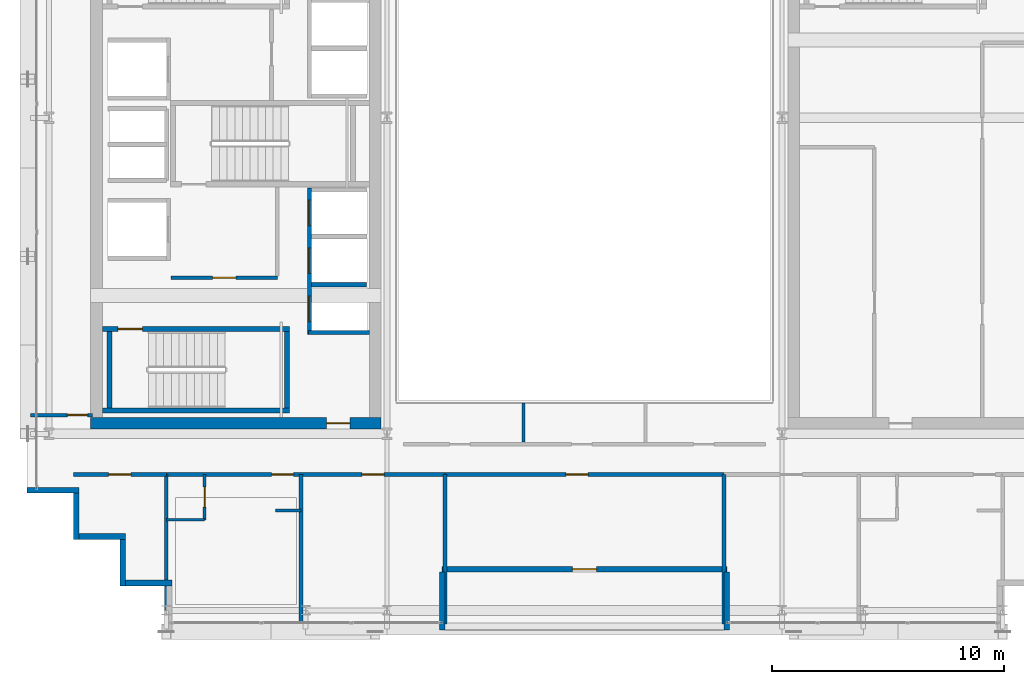
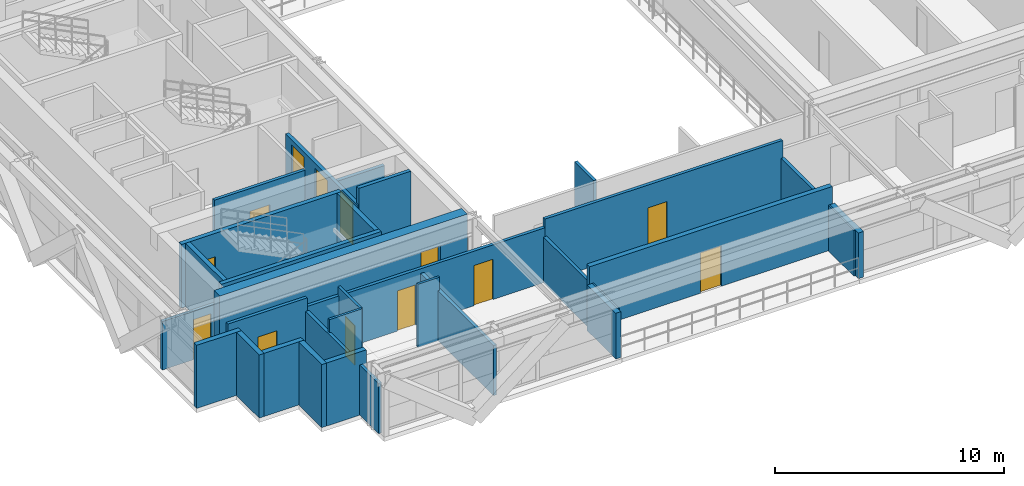
# One storey, part 24 of 32: 29 walls, 13 doors, 13 openings.
"""IFC4 building model written with IfcOpenShell, lengths in metres."""

from ifc_helpers import new_model, si_unit, direction, frame, frame_2d, origin, place, context, subcontext, project, spatial, rectangle, extrude, source, transform, mapped, material, layer, layer_set, type_object, element, fill, save


model = new_model("IFC4")

# Units and contexts
model_context = context("Model", 3, precision=1e-05, world=origin(), true_north=direction((0.0, 1.0)))
body_context = subcontext(model_context, "Body", "Model", "MODEL_VIEW")
ifc_project = project(units=[si_unit("LENGTHUNIT", "METRE"), si_unit("AREAUNIT", "SQUARE_METRE"), si_unit("VOLUMEUNIT", "CUBIC_METRE"), si_unit("PLANEANGLEUNIT", "RADIAN"), si_unit("MASSUNIT", "GRAM", prefix="KILO")], contexts=[model_context])

# Site, building, storey
site_placement = place(None, origin())
site = spatial("IfcSite", under=ifc_project, at=site_placement, CompositionType="ELEMENT")
building_placement = place(site_placement, origin())
building = spatial("IfcBuilding", under=site, at=building_placement, Name="Ocotamira Hotel", CompositionType="ELEMENT")
storey_placement = place(building_placement, frame((0.0, 0.0, 184.800048828125)))
storey = spatial("IfcBuildingStorey", under=building, at=storey_placement, Name="L46", CompositionType="ELEMENT", Elevation=184.800048828125)

# Wall, opening, door
ifc_material_1 = material(Name="Concrete C50/60", Category="concrete")
ifc_layer_1 = layer(ifc_material_1, 0.5)
ifc_layer_set_1 = layer_set([ifc_layer_1], Name="Concrete C50/60")
wall_type_1 = type_object("IfcWallType", Name="WL-CORE-500", PredefinedType="SHEAR", material=ifc_layer_set_1)
wall_1_placement = place(storey_placement, frame((10.75, 15.0, 0.0), z_axis=(0.0, 0.0, 1.0), x_axis=(1.0, 0.0, 0.0)))
wall_1 = element("IfcWall", 1, at=wall_1_placement, inside=storey, type_object=wall_type_1, Name="L46 Shear Core Wall WCORE-S", PredefinedType="SHEAR", context=body_context, shape_type="SweptSolid", body=[
    extrude(rectangle(XDim=12.5, YDim=0.5, at=frame_2d((6.25, 0.0))), origin(), (0.0, 0.0, 1.0), 3.369873046875),
])
opening_1_placement = place(wall_1_placement, frame((10.14990234375, 0.0, 0.0)))
opening_1 = element("IfcOpeningElement", 2, at=opening_1_placement, cuts=wall_1, Name="Opening D-FR2", PredefinedType="OPENING", context=body_context, shape_type="SweptSolid", body=[
    extrude(rectangle(XDim=1.0, YDim=2.14990234375, at=frame_2d((0.5, 1.074951171875))), frame((0.0, 0.260009765625, 0.0), z_axis=(0.0, -1.0, 0.0), x_axis=(1.0, 0.0, 0.0)), (0.0, 0.0, 1.0), 0.52001953125),
])
ifc_material_2 = material(Name="Fire-rated acoustic timber-veneer door", Category="wood")
door_type_1 = type_object("IfcDoorType", Name="DR-FIRE-1000", OperationType="NOTDEFINED", PredefinedType="DOOR", material=ifc_material_2)
shared_shape_1 = source(origin(), body_context, "Body", "SweptSolid", [
    extrude(rectangle(XDim=1.0, YDim=2.14990234375, at=frame_2d((0.5, 1.074951171875))), frame((0.0, 0.02490234375, 0.0), z_axis=(0.0, -1.0, 0.0), x_axis=(1.0, 0.0, 0.0)), (0.0, 0.0, 1.0), 0.050048828125),
])
door_1_placement = place(opening_1_placement, origin())
door_1 = element("IfcDoor", 3, at=door_1_placement, inside=storey, type_object=door_type_1, Name="L46 Door ID-L46-WLOB-S-D [ID-L46-WLOB-S-D]", OperationType="SINGLE_SWING_LEFT", OverallHeight=2.14990234375, OverallWidth=1.0, PredefinedType="DOOR", context=body_context, shape_type="MappedRepresentation", body=[
    mapped(shared_shape_1, transform((0.0, 0.0, 0.0), scale=1.0)),
])
fill(opening_1, door_1)

# Walls
ifc_material_3 = material(Name="Precast concrete C45/55", Category="concrete")
ifc_layer_2 = layer(ifc_material_3, 0.25)
ifc_layer_set_2 = layer_set([ifc_layer_2], Name="Precast concrete C45/55")
wall_type_2 = type_object("IfcWallType", Name="WL-EXT-SER-250", PredefinedType="SOLIDWALL", material=ifc_layer_set_2)
wall_2_placement = place(storey_placement, frame((8.0, 12.125, 0.0), z_axis=(0.0, 0.0, 1.0), x_axis=(1.0, 0.0, 0.0)))
element("IfcWall", 4, at=wall_2_placement, inside=storey, type_object=wall_type_2, Name="L46 Serrated Corner Wall 19", PredefinedType="SOLIDWALL", context=body_context, shape_type="SweptSolid", body=[
    extrude(rectangle(XDim=2.25, YDim=0.25, at=frame_2d((1.125, 0.0))), origin(), (0.0, 0.0, 1.0), 3.369873046875),
])
for number, where, z_axis, x_axis, name in (
    (5, (10.125, 12.0, 0.0), (0.0, 0.0, 1.0), (0.0, -1.0, 0.0), "L46 Serrated Corner Wall 20"),
    (6, (10.25, 10.125, 0.0), (0.0, 0.0, 1.0), (1.0, 0.0, 0.0), "L46 Serrated Corner Wall 21"),
    (7, (12.125, 10.0, 0.0), (0.0, 0.0, 1.0), (0.0, -1.0, 0.0), "L46 Serrated Corner Wall 22"),
    (8, (12.25, 8.125, 0.0), (0.0, 0.0, 1.0), (1.0, 0.0, 0.0), "L46 Serrated Corner Wall 23"),
):
    element("IfcWall", number, at=place(storey_placement, frame(where, z_axis=z_axis, x_axis=x_axis)), inside=storey, type_object=wall_type_2, Name=name, PredefinedType="SOLIDWALL", context=body_context, shape_type="SweptSolid", body=[
        extrude(rectangle(XDim=2.0, YDim=0.25, at=frame_2d((1.0, 0.0))), origin(), (0.0, 0.0, 1.0), 3.369873046875),
    ])

# Wall, opening, door
wall_3_placement = place(storey_placement, frame((25.875, 8.72509765625, 0.0), z_axis=(0.0, 0.0, 1.0), x_axis=(1.0, 0.0, 0.0)))
wall_3 = element("IfcWall", 9, at=wall_3_placement, inside=storey, type_object=wall_type_2, Name="L46 Sky Terrace Back Wall 1", PredefinedType="SOLIDWALL", context=body_context, shape_type="SweptSolid", body=[
    extrude(rectangle(XDim=12.25, YDim=0.25, at=frame_2d((6.125, 0.0))), origin(), (0.0, 0.0, 1.0), 3.369873046875),
])
opening_2_placement = place(wall_3_placement, frame((5.60009765625, 0.0, 0.0)))
opening_2 = element("IfcOpeningElement", 10, at=opening_2_placement, cuts=wall_3, Name="Opening ED-3", PredefinedType="OPENING", context=body_context, shape_type="SweptSolid", body=[
    extrude(rectangle(XDim=1.050048828125, YDim=2.14990234375, at=frame_2d((0.52490234375, 1.074951171875))), frame((0.0, 0.135009765625, 0.0), z_axis=(0.0, -1.0, 0.0), x_axis=(1.0, 0.0, 0.0)), (0.0, 0.0, 1.0), 0.27001953125),
])
ifc_material_4 = material(Name="Thermally broken aluminium glazed door", Category="aluminium")
door_type_2 = type_object("IfcDoorType", Name="DR-TERR-1050", OperationType="NOTDEFINED", PredefinedType="DOOR", material=ifc_material_4)
shared_shape_2 = source(origin(), body_context, "Body", "SweptSolid", [
    extrude(rectangle(XDim=1.050048828125, YDim=2.14990234375, at=frame_2d((0.52490234375, 1.074951171875))), frame((0.0, 0.02490234375, 0.0), z_axis=(0.0, -1.0, 0.0), x_axis=(1.0, 0.0, 0.0)), (0.0, 0.0, 1.0), 0.050048828125),
])
door_2_placement = place(opening_2_placement, origin())
door_2 = element("IfcDoor", 11, at=door_2_placement, inside=storey, type_object=door_type_2, Name="L46 Sky Terrace Access Door 1 [ED-BAL-L46-1]", OperationType="SINGLE_SWING_RIGHT", OverallHeight=2.14990234375, OverallWidth=1.050048828125, PredefinedType="DOOR", context=body_context, shape_type="MappedRepresentation", body=[
    mapped(shared_shape_2, transform((0.0, 0.0, 0.0), scale=1.0)),
])
fill(opening_2, door_2)

# Walls
for number, where, z_axis, x_axis, name in (
    (12, (25.875, 6.10009765625, 0.0), (0.0, 0.0, 1.0), (0.0, 1.0, 0.0), "L46 Sky Terrace Return Wall 1L"),
    (13, (38.125, 6.10009765625, 0.0), (0.0, 0.0, 1.0), (0.0, 1.0, 0.0), "L46 Sky Terrace Return Wall 1R"),
):
    element("IfcWall", number, at=place(storey_placement, frame(where, z_axis=z_axis, x_axis=x_axis)), inside=storey, type_object=wall_type_2, Name=name, PredefinedType="SOLIDWALL", context=body_context, shape_type="SweptSolid", body=[
        extrude(rectangle(XDim=2.5, YDim=0.25, at=frame_2d((1.25, 0.0))), origin(), (0.0, 0.0, 1.0), 2.44287109375),
    ])

# Wall, opening, door
ifc_material_5 = material(Name="Acoustic double-layer fire gypsum board partition", Category="gypsum")
ifc_layer_3 = layer(ifc_material_5, 0.159912109375)
ifc_layer_set_3 = layer_set([ifc_layer_3], Name="Acoustic double-layer fire gypsum board partition")
wall_type_3 = type_object("IfcWallType", Name="WL-FIRE-160", PredefinedType="PARTITIONING", material=ifc_layer_set_3)
wall_4_placement = place(storey_placement, frame((14.199951171875, 21.27001953125, 0.0), z_axis=(0.0, 0.0, 1.0), x_axis=(1.0, 0.0, 0.0)))
wall_4 = element("IfcWall", 14, at=wall_4_placement, inside=storey, type_object=wall_type_3, Name="L46 Interior Wall PW-L46-FSAE1-S", PredefinedType="PARTITIONING", context=body_context, shape_type="SweptSolid", body=[
    extrude(rectangle(XDim=4.580078125, YDim=0.159912109375, at=frame_2d((2.2900390625, 0.0))), origin(), (0.0, 0.0, 1.0), 3.369873046875),
])
opening_3_placement = place(wall_4_placement, frame((1.800048828125, 0.0, 0.0)))
opening_3 = element("IfcOpeningElement", 15, at=opening_3_placement, cuts=wall_4, Name="Opening D-FR2", PredefinedType="OPENING", context=body_context, shape_type="SweptSolid", body=[
    extrude(rectangle(XDim=1.0, YDim=2.14990234375, at=frame_2d((0.5, 1.074951171875))), frame((0.0, 0.08984375, 0.0), z_axis=(0.0, -1.0, 0.0), x_axis=(1.0, 0.0, 0.0)), (0.0, 0.0, 1.0), 0.179931640625),
])
door_3_placement = place(opening_3_placement, origin())
door_3 = element("IfcDoor", 16, at=door_3_placement, inside=storey, type_object=door_type_1, Name="L46 Door ID-L46-FSAE1-D [ID-L46-FSAE1-D]", OperationType="SINGLE_SWING_LEFT", OverallHeight=2.14990234375, OverallWidth=1.0, PredefinedType="DOOR", context=body_context, shape_type="MappedRepresentation", body=[
    mapped(shared_shape_1, transform((0.0, 0.0, 0.0), scale=1.0)),
])
fill(opening_3, door_3)

wall_5_placement = place(storey_placement, frame((10.0, 12.800048828125, 0.0), z_axis=(0.0, 0.0, 1.0), x_axis=(1.0, 0.0, 0.0)))
wall_5 = element("IfcWall", 17, at=wall_5_placement, inside=storey, type_object=wall_type_3, Name="L46 Interior Wall PW-L46-Z3C-CSW-CW", PredefinedType="PARTITIONING", context=body_context, shape_type="SweptSolid", body=[
    extrude(rectangle(XDim=4.0, YDim=0.159912109375, at=frame_2d((2.0, 0.0))), origin(), (0.0, 0.0, 1.0), 3.369873046875),
])
opening_4_placement = place(wall_5_placement, frame((1.52001953125, 0.0, 0.0)))
opening_4 = element("IfcOpeningElement", 18, at=opening_4_placement, cuts=wall_5, Name="Opening D-SV4", PredefinedType="OPENING", context=body_context, shape_type="SweptSolid", body=[
    extrude(rectangle(XDim=0.9599609375, YDim=2.14990234375, at=frame_2d((0.47998046875, 1.074951171875))), frame((0.0, 0.08984375, 0.0), z_axis=(0.0, -1.0, 0.0), x_axis=(1.0, 0.0, 0.0)), (0.0, 0.0, 1.0), 0.179931640625),
])
ifc_material_6 = material(Name="Fire-rated accessible walnut salon door", Category="wood")
door_type_3 = type_object("IfcDoorType", Name="DR-SERV-960", OperationType="NOTDEFINED", PredefinedType="DOOR", material=ifc_material_6)
shared_shape_3 = source(origin(), body_context, "Body", "SweptSolid", [
    extrude(rectangle(XDim=0.9599609375, YDim=2.14990234375, at=frame_2d((0.47998046875, 1.074951171875))), frame((0.0, 0.02490234375, 0.0), z_axis=(0.0, -1.0, 0.0), x_axis=(1.0, 0.0, 0.0)), (0.0, 0.0, 1.0), 0.050048828125),
])
door_4_placement = place(opening_4_placement, origin())
door_4 = element("IfcDoor", 19, at=door_4_placement, inside=storey, type_object=door_type_3, Name="L46 Door ID-L46-Z3C-CSW-CD [ID-L46-Z3C-CSW-CD]", OperationType="SINGLE_SWING_LEFT", OverallHeight=2.14990234375, OverallWidth=0.9599609375, PredefinedType="DOOR", context=body_context, shape_type="MappedRepresentation", body=[
    mapped(shared_shape_3, transform((0.0, 0.0, 0.0), scale=1.0)),
])
fill(opening_4, door_4)

# Wall, openings, doors
wall_6_placement = place(storey_placement, frame((14.0, 12.800048828125, 0.0), z_axis=(0.0, 0.0, 1.0), x_axis=(1.0, 0.0, 0.0)))
wall_6 = element("IfcWall", 20, at=wall_6_placement, inside=storey, type_object=wall_type_3, Name="L46 Interior Wall PW-L46-Z3CSW-CORRW", PredefinedType="PARTITIONING", context=body_context, shape_type="SweptSolid", body=[
    extrude(rectangle(XDim=12.0, YDim=0.159912109375, at=frame_2d((6.0, 0.0))), origin(), (0.0, 0.0, 1.0), 2.912841796875),
])
opening_5_placement = place(wall_6_placement, frame((4.5400390625, 0.0, 0.0)))
opening_5 = element("IfcOpeningElement", 21, at=opening_5_placement, cuts=wall_6, Name="Opening D-GR1", PredefinedType="OPENING", context=body_context, shape_type="SweptSolid", body=[
    extrude(rectangle(XDim=0.93994140625, YDim=2.14990234375, at=frame_2d((0.469970703125, 1.074951171875))), frame((0.0, 0.08984375, 0.0), z_axis=(0.0, -1.0, 0.0), x_axis=(1.0, 0.0, 0.0)), (0.0, 0.0, 1.0), 0.179931640625),
])
opening_6_placement = place(wall_6_placement, frame((8.419921875, 0.0, 0.0)))
opening_6 = element("IfcOpeningElement", 22, at=opening_6_placement, cuts=wall_6, Name="Opening D-SV4", PredefinedType="OPENING", context=body_context, shape_type="SweptSolid", body=[
    extrude(rectangle(XDim=0.9599609375, YDim=2.14990234375, at=frame_2d((0.47998046875, 1.074951171875))), frame((0.0, 0.08984375, 0.0), z_axis=(0.0, -1.0, 0.0), x_axis=(1.0, 0.0, 0.0)), (0.0, 0.0, 1.0), 0.179931640625),
])
door_5_placement = place(opening_6_placement, origin())
door_5 = element("IfcDoor", 23, at=door_5_placement, inside=storey, type_object=door_type_3, Name="L46 Door ID-L46-Z3CSW-AMD2 [ID-L46-Z3CSW-AMD2]", OperationType="SINGLE_SWING_RIGHT", OverallHeight=2.14990234375, OverallWidth=0.9599609375, PredefinedType="DOOR", context=body_context, shape_type="MappedRepresentation", body=[
    mapped(shared_shape_3, transform((0.0, 0.0, 0.0), scale=1.0)),
])
fill(opening_6, door_5)
ifc_material_7 = material(Name="Solid-core walnut suite entrance fire door", Category="wood")
door_type_4 = type_object("IfcDoorType", Name="DR-GUEST-940", OperationType="NOTDEFINED", PredefinedType="DOOR", material=ifc_material_7)
shared_shape_4 = source(origin(), body_context, "Body", "SweptSolid", [
    extrude(rectangle(XDim=0.93994140625, YDim=2.14990234375, at=frame_2d((0.469970703125, 1.074951171875))), frame((0.0, 0.02490234375, 0.0), z_axis=(0.0, -1.0, 0.0), x_axis=(1.0, 0.0, 0.0)), (0.0, 0.0, 1.0), 0.050048828125),
])
door_6_placement = place(opening_5_placement, origin())
door_6 = element("IfcDoor", 24, at=door_6_placement, inside=storey, type_object=door_type_4, Name="L46 Door ID-L46-Z3CSW-RMD1 [ID-L46-Z3CSW-RMD1]", OperationType="SINGLE_SWING_LEFT", OverallHeight=2.14990234375, OverallWidth=0.93994140625, PredefinedType="DOOR", context=body_context, shape_type="MappedRepresentation", body=[
    mapped(shared_shape_4, transform((0.0, 0.0, 0.0), scale=1.0)),
])
fill(opening_5, door_6)

# Wall, opening, door
wall_7_placement = place(storey_placement, frame((26.0, 12.800048828125, 0.0), z_axis=(0.0, 0.0, 1.0), x_axis=(1.0, 0.0, 0.0)))
wall_7 = element("IfcWall", 25, at=wall_7_placement, inside=storey, type_object=wall_type_3, Name="L46 Interior Wall PW-L46-Z3C-TSALN", PredefinedType="PARTITIONING", context=body_context, shape_type="SweptSolid", body=[
    extrude(rectangle(XDim=12.0, YDim=0.159912109375, at=frame_2d((6.0, 0.0))), origin(), (0.0, 0.0, 1.0), 3.369873046875),
])
opening_7_placement = place(wall_7_placement, frame((5.199951171875, 0.0, 0.0)))
opening_7 = element("IfcOpeningElement", 26, at=opening_7_placement, cuts=wall_7, Name="Opening D-SV4", PredefinedType="OPENING", context=body_context, shape_type="SweptSolid", body=[
    extrude(rectangle(XDim=0.9599609375, YDim=2.14990234375, at=frame_2d((0.47998046875, 1.074951171875))), frame((0.0, 0.08984375, 0.0), z_axis=(0.0, -1.0, 0.0), x_axis=(1.0, 0.0, 0.0)), (0.0, 0.0, 1.0), 0.179931640625),
])
door_7_placement = place(opening_7_placement, origin())
door_7 = element("IfcDoor", 27, at=door_7_placement, inside=storey, type_object=door_type_3, Name="L46 Door ID-L46-Z3C-TSALD [ID-L46-Z3C-TSALD]", OperationType="SINGLE_SWING_LEFT", OverallHeight=2.14990234375, OverallWidth=0.9599609375, PredefinedType="DOOR", context=body_context, shape_type="MappedRepresentation", body=[
    mapped(shared_shape_3, transform((0.0, 0.0, 0.0), scale=1.0)),
])
fill(opening_7, door_7)

ifc_material_8 = material(Name="Moisture-resistant en-suite tile and gypsum partition", Category="gypsum")
ifc_layer_4 = layer(ifc_material_8, 0.1201171875)
ifc_layer_set_4 = layer_set([ifc_layer_4], Name="Moisture-resistant en-suite tile and gypsum partition")
wall_type_4 = type_object("IfcWallType", Name="WL-PART-120", PredefinedType="PARTITIONING", material=ifc_layer_set_4)
wall_8_placement = place(storey_placement, frame((15.64990234375, 10.85009765625, 0.0), z_axis=(0.0, 0.0, 1.0), x_axis=(0.0, 1.0, 0.0)))
wall_8 = element("IfcWall", 28, at=wall_8_placement, inside=storey, type_object=wall_type_4, Name="L46 Interior Wall PW-L46-Z3CSW-BAE1", PredefinedType="PARTITIONING", context=body_context, shape_type="SweptSolid", body=[
    extrude(rectangle(XDim=1.949951171875, YDim=0.1201171875, at=frame_2d((0.97509765625, 0.0))), origin(), (0.0, 0.0, 1.0), 3.369873046875),
])
opening_8_placement = place(wall_8_placement, frame((0.544921875, 0.0, 0.0)))
opening_8 = element("IfcOpeningElement", 29, at=opening_8_placement, cuts=wall_8, Name="Opening D-BA1", PredefinedType="OPENING", context=body_context, shape_type="SweptSolid", body=[
    extrude(rectangle(XDim=0.860107421875, YDim=2.10009765625, at=frame_2d((0.43017578125, 1.050048828125))), frame((0.0, 0.070068359375, 0.0), z_axis=(0.0, -1.0, 0.0), x_axis=(1.0, 0.0, 0.0)), (0.0, 0.0, 1.0), 0.14013671875),
])
ifc_material_9 = material(Name="Moisture-sealed en-suite timber door", Category="wood")
door_type_5 = type_object("IfcDoorType", Name="DR-BATH-860", OperationType="NOTDEFINED", PredefinedType="DOOR", material=ifc_material_9)
shared_shape_5 = source(origin(), body_context, "Body", "SweptSolid", [
    extrude(rectangle(XDim=0.860107421875, YDim=2.10009765625, at=frame_2d((0.43017578125, 1.050048828125))), frame((0.0, 0.02490234375, 0.0), z_axis=(0.0, -1.0, 0.0), x_axis=(1.0, 0.0, 0.0)), (0.0, 0.0, 1.0), 0.050048828125),
])
door_8_placement = place(opening_8_placement, origin())
door_8 = element("IfcDoor", 30, at=door_8_placement, inside=storey, type_object=door_type_5, Name="L46 Door ID-L46-Z3CSW-BAD1 [ID-L46-Z3CSW-BAD1]", OperationType="SINGLE_SWING_RIGHT", OverallHeight=2.10009765625, OverallWidth=0.860107421875, PredefinedType="DOOR", context=body_context, shape_type="MappedRepresentation", body=[
    mapped(shared_shape_5, transform((0.0, 0.0, 0.0), scale=1.0)),
])
fill(opening_8, door_8)

# Walls
wall_9_placement = place(storey_placement, frame((14.0, 10.85009765625, 0.0), z_axis=(0.0, 0.0, 1.0), x_axis=(1.0, 0.0, 0.0)))
element("IfcWall", 31, at=wall_9_placement, inside=storey, type_object=wall_type_4, Name="L46 Interior Wall PW-L46-Z3CSW-BAS1", PredefinedType="PARTITIONING", context=body_context, shape_type="SweptSolid", body=[
    extrude(rectangle(XDim=1.64990234375, YDim=0.1201171875, at=frame_2d((0.824951171875, 0.0))), origin(), (0.0, 0.0, 1.0), 3.369873046875),
])
wall_10_placement = place(storey_placement, frame((18.699951171875, 11.25, 0.0), z_axis=(0.0, 0.0, 1.0), x_axis=(1.0, 0.0, 0.0)))
element("IfcWall", 32, at=wall_10_placement, inside=storey, type_object=wall_type_4, Name="L46 Interior Wall PW-L46-Z3CSW-DRN1", PredefinedType="PARTITIONING", context=body_context, shape_type="SweptSolid", body=[
    extrude(rectangle(XDim=1.10009765625, YDim=0.1201171875, at=frame_2d((0.550048828125, 0.0))), origin(), (0.0, 0.0, 1.0), 3.369873046875),
])
ifc_material_10 = material(Name="Acoustic hospitality gypsum board partition", Category="gypsum")
ifc_layer_5 = layer(ifc_material_10, 0.14208984375)
ifc_layer_set_5 = layer_set([ifc_layer_5], Name="Acoustic hospitality gypsum board partition")
wall_type_5 = type_object("IfcWallType", Name="WL-PART-142", PredefinedType="PARTITIONING", material=ifc_layer_set_5)
wall_11_placement = place(storey_placement, frame((29.375, 14.199951171875, 0.0), z_axis=(0.0, 0.0, 1.0), x_axis=(0.0, 1.0, 0.0)))
element("IfcWall", 33, at=wall_11_placement, inside=storey, type_object=wall_type_5, Name="L46 Interior Wall PW-L46-Z3C-ASDV1", PredefinedType="PARTITIONING", context=body_context, shape_type="SweptSolid", body=[
    extrude(rectangle(XDim=1.679931640625, YDim=0.14208984375, at=frame_2d((0.83984375, 0.0))), origin(), (0.0, 0.0, 1.0), 3.369873046875),
])

# Wall, opening, door
ifc_layer_6 = layer(ifc_material_10, 0.14990234375)
ifc_layer_set_6 = layer_set([ifc_layer_6], Name="Acoustic hospitality gypsum board partition")
wall_type_6 = type_object("IfcWallType", Name="WL-PART-150", PredefinedType="PARTITIONING", material=ifc_layer_set_6)
wall_12_placement = place(storey_placement, frame((8.159912109375, 15.360107421875, 0.0), z_axis=(0.0, 0.0, 1.0), x_axis=(1.0, 0.0, 0.0)))
wall_12 = element("IfcWall", 34, at=wall_12_placement, inside=storey, type_object=wall_type_6, Name="L46 Interior Wall PW-L46-Z3C-WF-WS", PredefinedType="PARTITIONING", context=body_context, shape_type="SweptSolid", body=[
    extrude(rectangle(XDim=2.66015625, YDim=0.14990234375, at=frame_2d((1.330078125, 0.0))), origin(), (0.0, 0.0, 1.0), 2.591064453125),
])
opening_9_placement = place(wall_12_placement, frame((1.580078125, 0.0, 0.0)))
opening_9 = element("IfcOpeningElement", 35, at=opening_9_placement, cuts=wall_12, Name="Opening D-SV2", PredefinedType="OPENING", context=body_context, shape_type="SweptSolid", body=[
    extrude(rectangle(XDim=0.8798828125, YDim=2.14990234375, at=frame_2d((0.43994140625, 1.074951171875))), frame((0.0, 0.0849609375, 0.0), z_axis=(0.0, -1.0, 0.0), x_axis=(1.0, 0.0, 0.0)), (0.0, 0.0, 1.0), 0.169921875),
])
ifc_material_11 = material(Name="Fire-rated painted steel service door", Category="steel")
door_type_6 = type_object("IfcDoorType", Name="DR-SERV-880", OperationType="NOTDEFINED", PredefinedType="DOOR", material=ifc_material_11)
shared_shape_6 = source(origin(), body_context, "Body", "SweptSolid", [
    extrude(rectangle(XDim=0.8798828125, YDim=2.14990234375, at=frame_2d((0.43994140625, 1.074951171875))), frame((0.0, 0.02490234375, 0.0), z_axis=(0.0, -1.0, 0.0), x_axis=(1.0, 0.0, 0.0)), (0.0, 0.0, 1.0), 0.050048828125),
])
door_9_placement = place(opening_9_placement, origin())
door_9 = element("IfcDoor", 36, at=door_9_placement, inside=storey, type_object=door_type_6, Name="L46 Door ID-L46-Z3C-WF-DS [ID-L46-Z3C-WF-DS]", OperationType="SINGLE_SWING_LEFT", OverallHeight=2.14990234375, OverallWidth=0.8798828125, PredefinedType="DOOR", context=body_context, shape_type="MappedRepresentation", body=[
    mapped(shared_shape_6, transform((0.0, 0.0, 0.0), scale=1.0)),
])
fill(opening_9, door_9)

# Walls
ifc_material_12 = material(Name="Acoustic double-stud hospitality gypsum partition", Category="gypsum")
ifc_layer_7 = layer(ifc_material_12, 0.159912109375)
ifc_layer_set_7 = layer_set([ifc_layer_7], Name="Acoustic double-stud hospitality gypsum partition")
wall_type_7 = type_object("IfcWallType", Name="WL-PART-160", PredefinedType="PARTITIONING", material=ifc_layer_set_7)
wall_13_placement = place(storey_placement, frame((14.0, 6.360107421875, 0.0), z_axis=(0.0, 0.0, 1.0), x_axis=(0.0, 1.0, 0.0)))
element("IfcWall", 37, at=wall_13_placement, inside=storey, type_object=wall_type_7, Name="L46 Interior Wall PW-L46-Z3CSW-PW0", PredefinedType="PARTITIONING", context=body_context, shape_type="SweptSolid", body=[
    extrude(rectangle(XDim=6.43994140625, YDim=0.159912109375, at=frame_2d((3.219970703125, 0.0))), origin(), (0.0, 0.0, 1.0), 2.677001953125),
])
wall_14_placement = place(storey_placement, frame((26.0, 6.360107421875, 0.0), z_axis=(0.0, 0.0, 1.0), x_axis=(0.0, 1.0, 0.0)))
element("IfcWall", 38, at=wall_14_placement, inside=storey, type_object=wall_type_7, Name="L46 Interior Wall PW-L46-Z3CSW-PWEND", PredefinedType="PARTITIONING", context=body_context, shape_type="SweptSolid", body=[
    extrude(rectangle(XDim=6.43994140625, YDim=0.159912109375, at=frame_2d((3.219970703125, 0.0))), origin(), (0.0, 0.0, 1.0), 2.44287109375),
])
wall_15_placement = place(storey_placement, frame((19.800048828125, 6.360107421875, 0.0), z_axis=(0.0, 0.0, 1.0), x_axis=(0.0, 1.0, 0.0)))
element("IfcWall", 39, at=wall_15_placement, inside=storey, type_object=wall_type_7, Name="L46 Interior Wall PW-L46-Z3CSW-PW1", PredefinedType="PARTITIONING", context=body_context, shape_type="SweptSolid", body=[
    extrude(rectangle(XDim=6.43994140625, YDim=0.159912109375, at=frame_2d((3.219970703125, 0.0))), origin(), (0.0, 0.0, 1.0), 2.677001953125),
])
wall_16_placement = place(storey_placement, frame((38.0, 6.360107421875, 0.0), z_axis=(0.0, 0.0, 1.0), x_axis=(0.0, 1.0, 0.0)))
element("IfcWall", 40, at=wall_16_placement, inside=storey, type_object=wall_type_7, Name="L46 Interior Wall PW-L46-Z3CSE-PW0", PredefinedType="PARTITIONING", context=body_context, shape_type="SweptSolid", body=[
    extrude(rectangle(XDim=6.43994140625, YDim=0.159912109375, at=frame_2d((3.219970703125, 0.0))), origin(), (0.0, 0.0, 1.0), 2.44287109375),
])

# Wall, openings, doors
ifc_material_13 = material(Name="Fire-rated gypsum shaftliner board assembly", Category="gypsum")
ifc_layer_8 = layer(ifc_material_13, 0.179931640625)
ifc_layer_set_8 = layer_set([ifc_layer_8], Name="Fire-rated gypsum shaftliner board assembly")
wall_type_8 = type_object("IfcWallType", Name="WL-SHAFT-180", PredefinedType="SOLIDWALL", material=ifc_layer_set_8)
wall_17_placement = place(storey_placement, frame((20.159912109375, 18.820068359375, 0.0), z_axis=(0.0, 0.0, 1.0), x_axis=(0.0, 1.0, 0.0)))
wall_17 = element("IfcWall", 41, at=wall_17_placement, inside=storey, type_object=wall_type_8, Name="L46 Interior Wall PW-L46-LFW-BANK-high-F", PredefinedType="SOLIDWALL", context=body_context, shape_type="SweptSolid", body=[
    extrude(rectangle(XDim=6.31982421875, YDim=0.179931640625, at=frame_2d((3.159912109375, 0.0))), origin(), (0.0, 0.0, 1.0), 2.469970703125),
])
opening_10_placement = place(wall_17_placement, frame((0.554931640625, 0.0, 0.0)))
opening_10 = element("IfcOpeningElement", 42, at=opening_10_placement, cuts=wall_17, Name="Opening LD-LF-P7", PredefinedType="OPENING", context=body_context, shape_type="SweptSolid", body=[
    extrude(rectangle(XDim=1.10009765625, YDim=2.199951171875, at=frame_2d((0.550048828125, 1.10009765625))), frame((0.0, 0.10009765625, 0.0), z_axis=(0.0, -1.0, 0.0), x_axis=(1.0, 0.0, 0.0)), (0.0, 0.0, 1.0), 0.199951171875),
])
opening_11_placement = place(wall_17_placement, frame((2.635009765625, 0.0, 0.0)))
opening_11 = element("IfcOpeningElement", 43, at=opening_11_placement, cuts=wall_17, Name="Opening LD-LF-P8", PredefinedType="OPENING", context=body_context, shape_type="SweptSolid", body=[
    extrude(rectangle(XDim=1.10009765625, YDim=2.199951171875, at=frame_2d((0.550048828125, 1.10009765625))), frame((0.0, 0.10009765625, 0.0), z_axis=(0.0, -1.0, 0.0), x_axis=(1.0, 0.0, 0.0)), (0.0, 0.0, 1.0), 0.199951171875),
])
opening_12_placement = place(wall_17_placement, frame((4.68994140625, 0.0, 0.0)))
opening_12 = element("IfcOpeningElement", 44, at=opening_12_placement, cuts=wall_17, Name="Opening LD-LF-P9", PredefinedType="OPENING", context=body_context, shape_type="SweptSolid", body=[
    extrude(rectangle(XDim=1.10009765625, YDim=2.199951171875, at=frame_2d((0.550048828125, 1.10009765625))), frame((0.0, 0.10009765625, 0.0), z_axis=(0.0, -1.0, 0.0), x_axis=(1.0, 0.0, 0.0)), (0.0, 0.0, 1.0), 0.199951171875),
])
ifc_material_14 = material(Name="Brushed pale-metal stainless elevator landing door", Category="steel")
door_type_7 = type_object("IfcDoorType", Name="DR-LIFT-1100", OperationType="NOTDEFINED", PredefinedType="DOOR", material=ifc_material_14)
shared_shape_7 = source(origin(), body_context, "Body", "SweptSolid", [
    extrude(rectangle(XDim=1.10009765625, YDim=2.199951171875, at=frame_2d((0.550048828125, 1.10009765625))), frame((0.0, 0.02490234375, 0.0), z_axis=(0.0, -1.0, 0.0), x_axis=(1.0, 0.0, 0.0)), (0.0, 0.0, 1.0), 0.050048828125),
])
door_10_placement = place(opening_10_placement, origin())
door_10 = element("IfcDoor", 45, at=door_10_placement, inside=storey, type_object=door_type_7, Name="L46 Landing Door LD-LF-P7 [ID-L46-LD-LF-P7]", OperationType="DOUBLE_DOOR_SLIDING", OverallHeight=2.199951171875, OverallWidth=1.10009765625, PredefinedType="DOOR", context=body_context, shape_type="MappedRepresentation", body=[
    mapped(shared_shape_7, transform((0.0, 0.0, 0.0), scale=1.0)),
])
fill(opening_10, door_10)
door_11_placement = place(opening_11_placement, origin())
door_11 = element("IfcDoor", 46, at=door_11_placement, inside=storey, type_object=door_type_7, Name="L46 Landing Door LD-LF-P8 [ID-L46-LD-LF-P8]", OperationType="DOUBLE_DOOR_SLIDING", OverallHeight=2.199951171875, OverallWidth=1.10009765625, PredefinedType="DOOR", context=body_context, shape_type="MappedRepresentation", body=[
    mapped(shared_shape_7, transform((0.0, 0.0, 0.0), scale=1.0)),
])
fill(opening_11, door_11)
door_12_placement = place(opening_12_placement, origin())
door_12 = element("IfcDoor", 47, at=door_12_placement, inside=storey, type_object=door_type_7, Name="L46 Landing Door LD-LF-P9 [ID-L46-LD-LF-P9]", OperationType="DOUBLE_DOOR_SLIDING", OverallHeight=2.199951171875, OverallWidth=1.10009765625, PredefinedType="DOOR", context=body_context, shape_type="MappedRepresentation", body=[
    mapped(shared_shape_7, transform((0.0, 0.0, 0.0), scale=1.0)),
])
fill(opening_12, door_12)

# Walls
wall_18_placement = place(storey_placement, frame((20.1201171875, 18.909912109375, 0.0), z_axis=(0.0, 0.0, 1.0), x_axis=(1.0, 0.0, 0.0)))
element("IfcWall", 48, at=wall_18_placement, inside=storey, type_object=wall_type_8, Name="L46 Interior Wall PW-L46-LFW-BANK-high-S", PredefinedType="SOLIDWALL", context=body_context, shape_type="SweptSolid", body=[
    extrude(rectangle(XDim=2.6298828125, YDim=0.179931640625, at=frame_2d((1.31494140625, 0.0))), origin(), (0.0, 0.0, 1.0), 3.369873046875),
])
wall_19_placement = place(storey_placement, frame((20.25, 20.965087890625, 0.0), z_axis=(0.0, 0.0, 1.0), x_axis=(1.0, 0.0, 0.0)))
element("IfcWall", 49, at=wall_19_placement, inside=storey, type_object=wall_type_8, Name="L46 Interior Wall PW-L46-LFW-DIV-LF-P7", PredefinedType="SOLIDWALL", context=body_context, shape_type="SweptSolid", body=[
    extrude(rectangle(XDim=2.360107421875, YDim=0.179931640625, at=frame_2d((1.18017578125, 0.0))), origin(), (0.0, 0.0, 1.0), 2.469970703125),
])
ifc_layer_9 = layer(ifc_material_1, 0.219970703125)
ifc_layer_set_9 = layer_set([ifc_layer_9], Name="Concrete C50/60")
wall_type_9 = type_object("IfcWallType", Name="WL-STAIR-220", PredefinedType="SHEAR", material=ifc_layer_set_9)
wall_20_placement = place(storey_placement, frame((11.25, 15.56005859375, 0.0), z_axis=(0.0, 0.0, 1.0), x_axis=(1.0, 0.0, 0.0)))
element("IfcWall", 50, at=wall_20_placement, inside=storey, type_object=wall_type_9, Name="L46 Stair Shaft Structural Wall ST-1-S", PredefinedType="SHEAR", context=body_context, shape_type="SweptSolid", body=[
    extrude(rectangle(XDim=8.06005859375, YDim=0.219970703125, at=frame_2d((4.030029296875, 0.0))), origin(), (0.0, 0.0, 1.0), 3.39990234375),
])

# Wall, opening, door
wall_21_placement = place(storey_placement, frame((11.25, 19.06005859375, 0.0), z_axis=(0.0, 0.0, 1.0), x_axis=(1.0, 0.0, 0.0)))
wall_21 = element("IfcWall", 51, at=wall_21_placement, inside=storey, type_object=wall_type_9, Name="L46 Stair Shaft Structural Wall ST-1-N", PredefinedType="SHEAR", context=body_context, shape_type="SweptSolid", body=[
    extrude(rectangle(XDim=8.06005859375, YDim=0.219970703125, at=frame_2d((4.030029296875, 0.0))), origin(), (0.0, 0.0, 1.0), 3.39990234375),
])
opening_13_placement = place(wall_21_placement, frame((0.669921875, 0.0, 0.0)))
opening_13 = element("IfcOpeningElement", 52, at=opening_13_placement, cuts=wall_21, Name="Opening D-ST2", PredefinedType="OPENING", context=body_context, shape_type="SweptSolid", body=[
    extrude(rectangle(XDim=1.050048828125, YDim=2.14990234375, at=frame_2d((0.52490234375, 1.074951171875))), frame((0.0, 0.1201171875, 0.0), z_axis=(0.0, -1.0, 0.0), x_axis=(1.0, 0.0, 0.0)), (0.0, 0.0, 1.0), 0.239990234375),
])
ifc_material_15 = material(Name="Insulated painted hollow-metal fire exit door", Category="steel")
door_type_8 = type_object("IfcDoorType", Name="DR-STAIR-1050", OperationType="NOTDEFINED", PredefinedType="DOOR", material=ifc_material_15)
door_13_placement = place(opening_13_placement, origin())
door_13 = element("IfcDoor", 53, at=door_13_placement, inside=storey, type_object=door_type_8, Name="L46 Door ID-L46-STD-ST-1 [ID-L46-STD-ST-1]", OperationType="SINGLE_SWING_LEFT", OverallHeight=2.14990234375, OverallWidth=1.050048828125, PredefinedType="DOOR", context=body_context, shape_type="MappedRepresentation", body=[
    mapped(shared_shape_2, transform((0.0, 0.0, 0.0), scale=1.0)),
])
fill(opening_13, door_13)

# Walls
for number, where, z_axis, x_axis, name in (
    (54, (11.56005859375, 15.669921875, 0.0), (0.0, 0.0, 1.0), (0.0, 1.0, 0.0), "L46 Stair Shaft Structural Wall ST-1-W"),
    (55, (19.199951171875, 15.669921875, 0.0), (0.0, 0.0, 1.0), (0.0, 1.0, 0.0), "L46 Stair Shaft Structural Wall ST-1-E"),
):
    element("IfcWall", number, at=place(storey_placement, frame(where, z_axis=z_axis, x_axis=x_axis)), inside=storey, type_object=wall_type_9, Name=name, PredefinedType="SHEAR", context=body_context, shape_type="SweptSolid", body=[
        extrude(rectangle(XDim=3.280029296875, YDim=0.219970703125, at=frame_2d((1.64013671875, 0.0))), origin(), (0.0, 0.0, 1.0), 3.39990234375),
    ])

save(model, "model.ifc")
